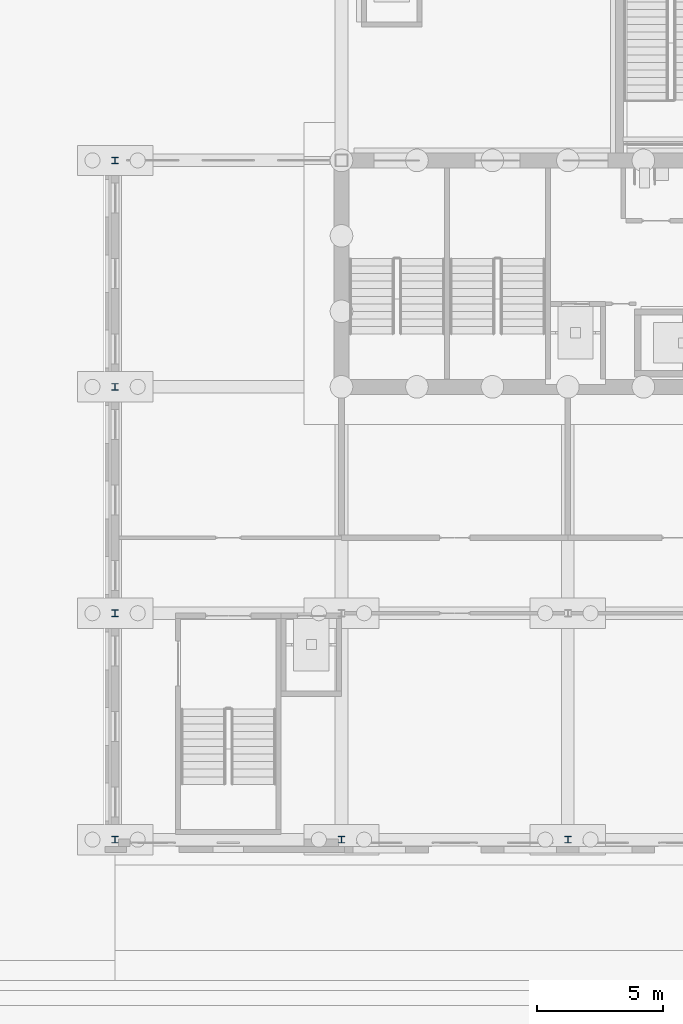
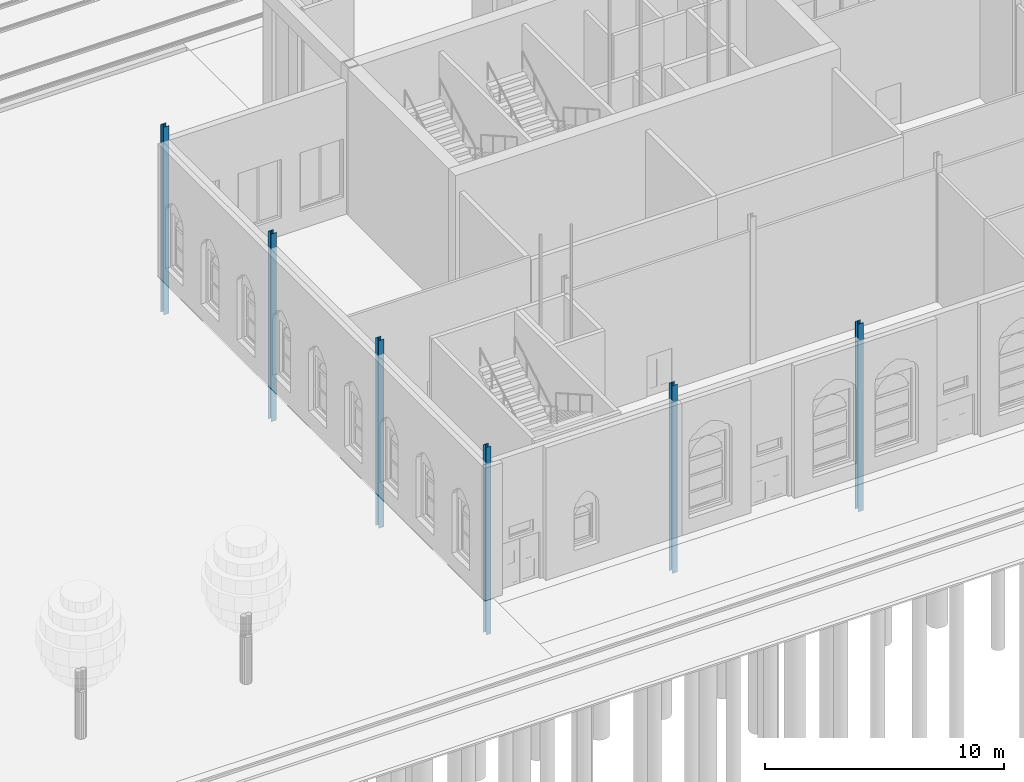
# One storey, part 9 of 250: 6 columns.
"""IFC4 building model written with IfcOpenShell, lengths in metres."""

import ifcopenshell
import ifcopenshell.guid

model = None  # the IFC model being written
_history = None  # IfcOwnerHistory: only IFC2X3 demands one
_inside = {}  # id of a spatial element -> (the spatial element, [elements in it])
_under = {}  # id of a project, library or spatial element -> (it, [spatial elements below it])
_declared = {}  # id of a project -> (the project, [libraries it declares])
_typed = {}  # id of a type object -> (the type object, [elements of that type])
_made_of = {}  # id of a material, layer set ... -> (it, [elements and type objects made of it])


def new_model(schema):
    """Start an empty IFC model of exactly this schema.

    Asked for "IFC4X3", IfcOpenShell would pick the latest addendum, in which some entities
    have other attributes; the version numbers below select the first issue.
    IFC2X3 requires an IfcOwnerHistory on every rooted entity: one is made here for all.
    """
    global model, _history
    if schema == "IFC4X3":
        model = ifcopenshell.file(schema_version=(4, 3, 0, 0))
    else:
        model = ifcopenshell.file(schema=schema)
    _inside.clear()
    _under.clear()
    _declared.clear()
    _typed.clear()
    _made_of.clear()
    _history = None
    if model.schema == "IFC2X3":
        org = make("IfcOrganization", Name="unknown")
        user = make(
            "IfcPersonAndOrganization",
            ThePerson=make("IfcPerson", FamilyName="unknown"),
            TheOrganization=org,
        )
        app = make(
            "IfcApplication",
            ApplicationDeveloper=org,
            Version="unknown",
            ApplicationFullName="unknown",
            ApplicationIdentifier="unknown",
        )
        _history = make(
            "IfcOwnerHistory",
            OwningUser=user,
            OwningApplication=app,
            ChangeAction="ADDED",
            CreationDate=0,
        )
    return model


def make(cls, **values):
    """One entity of the class cls with the attributes given. An attribute that is None is left unset."""
    return model.create_entity(
        cls, **{name: value for name, value in values.items() if value is not None}
    )


def rooted(cls, **values):
    """An entity with a GlobalId (a new one), such as an element, a storey or a relation."""
    return make(cls, GlobalId=ifcopenshell.guid.new(), OwnerHistory=_history, **values)


def si_unit(unit_type, name, prefix=None):
    """IfcSIUnit, for example si_unit("LENGTHUNIT", "METRE", prefix="MILLI")."""
    return make("IfcSIUnit", UnitType=unit_type, Prefix=prefix, Name=name)


def assignment(units):
    """IfcUnitAssignment: the units of a project."""
    return None if units is None else make("IfcUnitAssignment", Units=units)


def point(xyz):
    """IfcCartesianPoint."""
    return None if xyz is None else make("IfcCartesianPoint", Coordinates=xyz)


def direction(xyz):
    """IfcDirection."""
    return None if xyz is None else make("IfcDirection", DirectionRatios=xyz)


def frame(location, z_axis=None, x_axis=None):
    """IfcAxis2Placement3D, a coordinate frame: its origin and axes. An axis left out is left unset."""
    return make(
        "IfcAxis2Placement3D",
        Location=point(location),
        Axis=direction(z_axis),
        RefDirection=direction(x_axis),
    )


def frame_2d(location, x_axis=None):
    """IfcAxis2Placement2D, a coordinate frame in the plane: its origin and x axis."""
    return make(
        "IfcAxis2Placement2D", Location=point(location), RefDirection=direction(x_axis)
    )


def origin():
    """The frame at (0, 0, 0) with its axes left unset."""
    return frame((0.0, 0.0, 0.0))


def origin_2d():
    """The frame at (0, 0) in the plane with its x axis left unset."""
    return frame_2d((0.0, 0.0))


def place(relative_to, where):
    """IfcLocalPlacement: puts the frame where relative to a parent placement (None: the world)."""
    return make(
        "IfcLocalPlacement", PlacementRelTo=relative_to, RelativePlacement=where
    )


def context(
    kind, dimensions, precision=None, world=None, true_north=None, identifier=None
):
    """IfcGeometricRepresentationContext, for example the 3D "Model" context."""
    return make(
        "IfcGeometricRepresentationContext",
        ContextIdentifier=identifier,
        ContextType=kind,
        CoordinateSpaceDimension=dimensions,
        Precision=precision,
        WorldCoordinateSystem=world,
        TrueNorth=true_north,
    )


def subcontext(parent, identifier, kind, view, scale=None):
    """IfcGeometricRepresentationSubContext, for example "Body" below "Model"."""
    return make(
        "IfcGeometricRepresentationSubContext",
        ContextIdentifier=identifier,
        ContextType=kind,
        ParentContext=parent,
        TargetScale=scale,
        TargetView=view,
    )


def project(units=None, contexts=None):
    """IfcProject with its units and contexts."""
    return rooted(
        "IfcProject",
        Name="project",
        RepresentationContexts=contexts,
        UnitsInContext=assignment(units),
    )


def spatial(cls, under=None, at=None, **own):
    """A site, building, storey or space (cls), placed at a placement, below another one or the project."""
    s = rooted(cls, ObjectPlacement=at, **own)
    if under is not None:
        _under.setdefault(under.id(), (under, []))[1].append(s)
    return s


def profile(cls, at=None, kind="AREA", **sizes):
    """A parametric profile (cls). Its sizes go by their IFC names, for example OverallWidth=200.0."""
    return make(cls, ProfileType=kind, Position=at, **sizes)


def i_section(**sizes):
    """IfcIShapeProfileDef."""
    return profile("IfcIShapeProfileDef", **sizes)


def extrude(swept, where, along, depth):
    """IfcExtrudedAreaSolid: the profile swept, set in the frame where, extruded along a direction by depth."""
    return make(
        "IfcExtrudedAreaSolid",
        SweptArea=swept,
        Position=where,
        ExtrudedDirection=direction(along),
        Depth=depth,
    )


def shape(context_of_items, identifier, shape_type, items):
    """IfcShapeRepresentation: the items that make up one representation, for example the "Body"."""
    return make(
        "IfcShapeRepresentation",
        ContextOfItems=context_of_items,
        RepresentationIdentifier=identifier,
        RepresentationType=shape_type,
        Items=items,
    )


def material(Name=None, Category=None):
    """IfcMaterial."""
    return make("IfcMaterial", Name=Name, Category=Category)


def material_profile(
    of_material, cross_section, Name=None, Category=None, Priority=None
):
    """IfcMaterialProfile: a cross section and its material."""
    return make(
        "IfcMaterialProfile",
        Name=Name,
        Material=of_material,
        Profile=cross_section,
        Priority=Priority,
        Category=Category,
    )


def profile_set(profiles, Name=None, composite=None):
    """IfcMaterialProfileSet."""
    return make(
        "IfcMaterialProfileSet",
        Name=Name,
        MaterialProfiles=profiles,
        CompositeProfile=composite,
    )


def made_of(thing, what):
    """Note that an element or type object is made of a material, layer set ...; save() writes the relation."""
    if what is not None:
        _made_of.setdefault(what.id(), (what, []))[1].append(thing)
    return thing


def type_object(cls, material=None, **own):
    """A type object (cls), such as IfcWallType, which elements share."""
    return made_of(rooted(cls, **own), material)


def element(
    cls,
    number,
    at=None,
    inside=None,
    cuts=None,
    type_object=None,
    material=None,
    context=None,
    identifier="Body",
    shape_type=None,
    held_by="IfcProductDefinitionShape",
    body=None,
    shapes=None,
    **own,
):
    """One element of the class cls, such as IfcWall. Its Tag is "e" and its number.

    at: its placement. inside: the storey or other place that contains it. cuts: it is an
    opening in that element (IfcRelVoidsElement). A single representation is given by context,
    identifier, shape_type and body (its items); several are given by shapes. held_by: the class
    of the entity that holds the representations. save() writes the other relations.
    """
    e = rooted(cls, Tag="e%d" % number, ObjectPlacement=at, **own)
    if body is not None:
        shapes = [shape(context, identifier, shape_type, body)]
    if shapes is not None:
        e.Representation = make(held_by, Representations=shapes)
    if inside is not None:
        _inside.setdefault(inside.id(), (inside, []))[1].append(e)
    if cuts is not None:
        rooted(
            "IfcRelVoidsElement", RelatingBuildingElement=cuts, RelatedOpeningElement=e
        )
    if type_object is not None:
        _typed.setdefault(type_object.id(), (type_object, []))[1].append(e)
    return made_of(e, material)


def aggregate(whole, parts):
    """IfcRelAggregates: a whole, such as a stair, and the parts it consists of."""
    return rooted("IfcRelAggregates", RelatingObject=whole, RelatedObjects=parts)


def save(model, path):
    """Write the relations noted so far, then the file.

    IfcRelAggregates (storeys below a building ...), IfcRelContainedInSpatialStructure (elements
    in a storey), IfcRelDefinesByType, IfcRelAssociatesMaterial and IfcRelDeclares: one each for
    every whole, place, type object, material and project.
    """
    for whole, parts in _under.values():
        aggregate(whole, parts)
    for where, things in _inside.values():
        rooted(
            "IfcRelContainedInSpatialStructure",
            RelatedElements=things,
            RelatingStructure=where,
        )
    for kind, things in _typed.values():
        rooted("IfcRelDefinesByType", RelatedObjects=things, RelatingType=kind)
    for what, things in _made_of.values():
        rooted("IfcRelAssociatesMaterial", RelatedObjects=things, RelatingMaterial=what)
    for by, libraries in _declared.values():
        rooted("IfcRelDeclares", RelatingContext=by, RelatedDefinitions=libraries)
    model.write(path)


model = new_model("IFC4")

# Units and contexts
model_context = context("Model", 3, precision=1e-05, world=origin(), true_north=direction((0.0, 1.0)))
body_context = subcontext(model_context, "Body", "Model", "MODEL_VIEW")
ifc_project = project(units=[si_unit("LENGTHUNIT", "METRE"), si_unit("AREAUNIT", "SQUARE_METRE"), si_unit("VOLUMEUNIT", "CUBIC_METRE"), si_unit("PLANEANGLEUNIT", "RADIAN"), si_unit("MASSUNIT", "GRAM", prefix="KILO")], contexts=[model_context])

# Site, building, storey
site_placement = place(None, origin())
site = spatial("IfcSite", under=ifc_project, at=site_placement, CompositionType="ELEMENT")
building_placement = place(site_placement, origin())
building = spatial("IfcBuilding", under=site, at=building_placement, Name="Baradari Gate Terminus", CompositionType="ELEMENT")
storey_placement = place(building_placement, origin())
storey = spatial("IfcBuildingStorey", under=building, at=storey_placement, Name="L00", CompositionType="ELEMENT", Elevation=0.0)

# Columns
ifc_material_1 = material(Name="Steel S355", Category="steel")
ifc_material_profile_1 = material_profile(ifc_material_1, i_section(OverallWidth=0.25634765625, OverallDepth=0.26025390625, WebThickness=0.01025390625, FlangeThickness=0.017333984375, FilletRadius=0.0126953125, at=origin_2d()), Name="UC 254x254x89")
ifc_profile_set_1 = profile_set([ifc_material_profile_1], Name="Steel S355")
column_type_1 = type_object("IfcColumnType", Name="South wing column C04 UC 254x254x89", PredefinedType="COLUMN", material=ifc_profile_set_1)
for number, where, z_axis, x_axis, name in (
    (1, (63.0, 18.0, -2.10009765625), (0.0, 0.0, 1.0), (1.0, 0.0, 0.0), "C04 column 8-C L00"),
    (2, (63.0, 27.0, -2.10009765625), (0.0, 0.0, 1.0), (1.0, 0.0, 0.0), "C04 column 8-D L00"),
    (3, (63.0, 36.0, -2.10009765625), (0.0, 0.0, 1.0), (1.0, 0.0, 0.0), "C04 column 8-E L00"),
):
    element("IfcColumn", number, at=place(storey_placement, frame(where, z_axis=z_axis, x_axis=x_axis)), inside=storey, type_object=column_type_1, Name=name, PredefinedType="COLUMN", context=body_context, shape_type="SweptSolid", body=[
        extrude(i_section(OverallWidth=0.25634765625, OverallDepth=0.26025390625, WebThickness=0.01025390625, FlangeThickness=0.017333984375, FilletRadius=0.0126953125, at=origin_2d()), origin(), (0.0, 0.0, 1.0), 9.60009765625),
    ])
ifc_material_2 = material(Name="Steel S355", Category="steel")
ifc_material_profile_2 = material_profile(ifc_material_2, i_section(OverallWidth=0.254638671875, OverallDepth=0.254150390625, WebThickness=0.008544921875, FlangeThickness=0.01416015625, FilletRadius=0.0126953125, at=origin_2d()), Name="UC 254x254x73")
ifc_profile_set_2 = profile_set([ifc_material_profile_2], Name="Steel S355")
column_type_2 = type_object("IfcColumnType", Name="South wing facade column C03 UC 254x254x73", PredefinedType="COLUMN", material=ifc_profile_set_2)
for number, where, z_axis, x_axis, name in (
    (4, (63.0, 9.0, -2.10009765625), (0.0, 0.0, 1.0), (1.0, 0.0, 0.0), "C03 column 8-B L00"),
    (5, (72.0, 9.0, -2.10009765625), (0.0, 0.0, 1.0), (1.0, 0.0, 0.0), "C03 column 9-B L00"),
    (6, (81.0, 9.0, -2.10009765625), (0.0, 0.0, 1.0), (1.0, 0.0, 0.0), "C03 column 10-B L00"),
):
    element("IfcColumn", number, at=place(storey_placement, frame(where, z_axis=z_axis, x_axis=x_axis)), inside=storey, type_object=column_type_2, Name=name, PredefinedType="COLUMN", context=body_context, shape_type="SweptSolid", body=[
        extrude(i_section(OverallWidth=0.254638671875, OverallDepth=0.254150390625, WebThickness=0.008544921875, FlangeThickness=0.01416015625, FilletRadius=0.0126953125, at=origin_2d()), origin(), (0.0, 0.0, 1.0), 9.60009765625),
    ])

save(model, "model.ifc")
